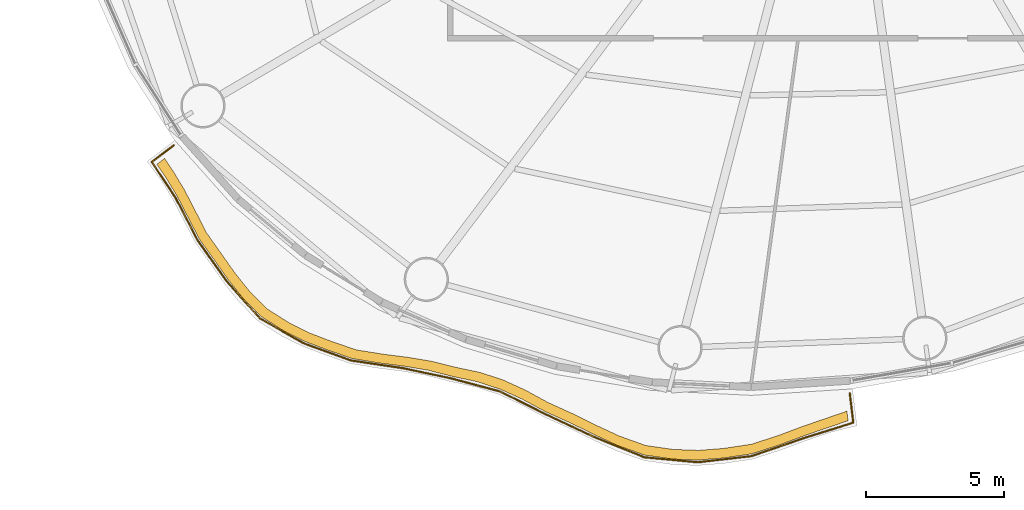
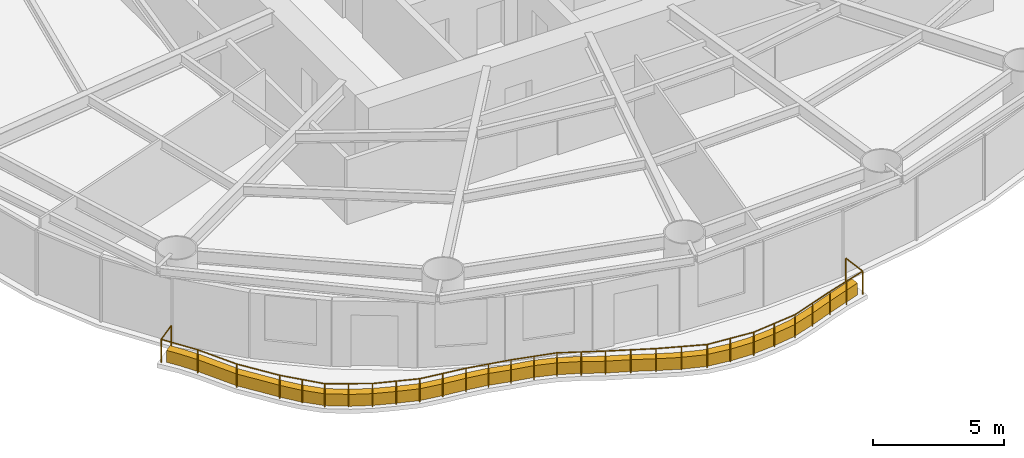
# One storey, part 12 of 16: 1 covering, 1 railing.
"""IFC4 building model written with IfcOpenShell, lengths in metres."""

import ifcopenshell
import ifcopenshell.guid

model = None  # the IFC model being written
_history = None  # IfcOwnerHistory: only IFC2X3 demands one
_inside = {}  # id of a spatial element -> (the spatial element, [elements in it])
_under = {}  # id of a project, library or spatial element -> (it, [spatial elements below it])
_declared = {}  # id of a project -> (the project, [libraries it declares])
_typed = {}  # id of a type object -> (the type object, [elements of that type])
_made_of = {}  # id of a material, layer set ... -> (it, [elements and type objects made of it])


def new_model(schema):
    """Start an empty IFC model of exactly this schema.

    Asked for "IFC4X3", IfcOpenShell would pick the latest addendum, in which some entities
    have other attributes; the version numbers below select the first issue.
    IFC2X3 requires an IfcOwnerHistory on every rooted entity: one is made here for all.
    """
    global model, _history
    if schema == "IFC4X3":
        model = ifcopenshell.file(schema_version=(4, 3, 0, 0))
    else:
        model = ifcopenshell.file(schema=schema)
    _inside.clear()
    _under.clear()
    _declared.clear()
    _typed.clear()
    _made_of.clear()
    _history = None
    if model.schema == "IFC2X3":
        org = make("IfcOrganization", Name="unknown")
        user = make(
            "IfcPersonAndOrganization",
            ThePerson=make("IfcPerson", FamilyName="unknown"),
            TheOrganization=org,
        )
        app = make(
            "IfcApplication",
            ApplicationDeveloper=org,
            Version="unknown",
            ApplicationFullName="unknown",
            ApplicationIdentifier="unknown",
        )
        _history = make(
            "IfcOwnerHistory",
            OwningUser=user,
            OwningApplication=app,
            ChangeAction="ADDED",
            CreationDate=0,
        )
    return model


def make(cls, **values):
    """One entity of the class cls with the attributes given. An attribute that is None is left unset."""
    return model.create_entity(
        cls, **{name: value for name, value in values.items() if value is not None}
    )


def rooted(cls, **values):
    """An entity with a GlobalId (a new one), such as an element, a storey or a relation."""
    return make(cls, GlobalId=ifcopenshell.guid.new(), OwnerHistory=_history, **values)


def si_unit(unit_type, name, prefix=None):
    """IfcSIUnit, for example si_unit("LENGTHUNIT", "METRE", prefix="MILLI")."""
    return make("IfcSIUnit", UnitType=unit_type, Prefix=prefix, Name=name)


def assignment(units):
    """IfcUnitAssignment: the units of a project."""
    return None if units is None else make("IfcUnitAssignment", Units=units)


def point(xyz):
    """IfcCartesianPoint."""
    return None if xyz is None else make("IfcCartesianPoint", Coordinates=xyz)


def direction(xyz):
    """IfcDirection."""
    return None if xyz is None else make("IfcDirection", DirectionRatios=xyz)


def frame(location, z_axis=None, x_axis=None):
    """IfcAxis2Placement3D, a coordinate frame: its origin and axes. An axis left out is left unset."""
    return make(
        "IfcAxis2Placement3D",
        Location=point(location),
        Axis=direction(z_axis),
        RefDirection=direction(x_axis),
    )


def frame_2d(location, x_axis=None):
    """IfcAxis2Placement2D, a coordinate frame in the plane: its origin and x axis."""
    return make(
        "IfcAxis2Placement2D", Location=point(location), RefDirection=direction(x_axis)
    )


def origin():
    """The frame at (0, 0, 0) with its axes left unset."""
    return frame((0.0, 0.0, 0.0))


def origin_2d():
    """The frame at (0, 0) in the plane with its x axis left unset."""
    return frame_2d((0.0, 0.0))


def place(relative_to, where):
    """IfcLocalPlacement: puts the frame where relative to a parent placement (None: the world)."""
    return make(
        "IfcLocalPlacement", PlacementRelTo=relative_to, RelativePlacement=where
    )


def context(
    kind, dimensions, precision=None, world=None, true_north=None, identifier=None
):
    """IfcGeometricRepresentationContext, for example the 3D "Model" context."""
    return make(
        "IfcGeometricRepresentationContext",
        ContextIdentifier=identifier,
        ContextType=kind,
        CoordinateSpaceDimension=dimensions,
        Precision=precision,
        WorldCoordinateSystem=world,
        TrueNorth=true_north,
    )


def subcontext(parent, identifier, kind, view, scale=None):
    """IfcGeometricRepresentationSubContext, for example "Body" below "Model"."""
    return make(
        "IfcGeometricRepresentationSubContext",
        ContextIdentifier=identifier,
        ContextType=kind,
        ParentContext=parent,
        TargetScale=scale,
        TargetView=view,
    )


def project(units=None, contexts=None):
    """IfcProject with its units and contexts."""
    return rooted(
        "IfcProject",
        Name="project",
        RepresentationContexts=contexts,
        UnitsInContext=assignment(units),
    )


def spatial(cls, under=None, at=None, **own):
    """A site, building, storey or space (cls), placed at a placement, below another one or the project."""
    s = rooted(cls, ObjectPlacement=at, **own)
    if under is not None:
        _under.setdefault(under.id(), (under, []))[1].append(s)
    return s


def polyline(points):
    """IfcPolyline through the points."""
    return make("IfcPolyline", Points=[point(p) for p in points])


def profile(cls, at=None, kind="AREA", **sizes):
    """A parametric profile (cls). Its sizes go by their IFC names, for example OverallWidth=200.0."""
    return make(cls, ProfileType=kind, Position=at, **sizes)


def circle(**sizes):
    """IfcCircleProfileDef."""
    return profile("IfcCircleProfileDef", **sizes)


def outline(outer, holes=None, kind="AREA"):
    """IfcArbitraryClosedProfileDef: a profile drawn as a closed curve; with holes, ...WithVoids."""
    if holes is None:
        return make("IfcArbitraryClosedProfileDef", ProfileType=kind, OuterCurve=outer)
    return make(
        "IfcArbitraryProfileDefWithVoids",
        ProfileType=kind,
        OuterCurve=outer,
        InnerCurves=holes,
    )


def extrude(swept, where, along, depth):
    """IfcExtrudedAreaSolid: the profile swept, set in the frame where, extruded along a direction by depth."""
    return make(
        "IfcExtrudedAreaSolid",
        SweptArea=swept,
        Position=where,
        ExtrudedDirection=direction(along),
        Depth=depth,
    )


def shape(context_of_items, identifier, shape_type, items):
    """IfcShapeRepresentation: the items that make up one representation, for example the "Body"."""
    return make(
        "IfcShapeRepresentation",
        ContextOfItems=context_of_items,
        RepresentationIdentifier=identifier,
        RepresentationType=shape_type,
        Items=items,
    )


def material(Name=None, Category=None):
    """IfcMaterial."""
    return make("IfcMaterial", Name=Name, Category=Category)


def made_of(thing, what):
    """Note that an element or type object is made of a material, layer set ...; save() writes the relation."""
    if what is not None:
        _made_of.setdefault(what.id(), (what, []))[1].append(thing)
    return thing


def type_object(cls, material=None, **own):
    """A type object (cls), such as IfcWallType, which elements share."""
    return made_of(rooted(cls, **own), material)


def element(
    cls,
    number,
    at=None,
    inside=None,
    cuts=None,
    type_object=None,
    material=None,
    context=None,
    identifier="Body",
    shape_type=None,
    held_by="IfcProductDefinitionShape",
    body=None,
    shapes=None,
    **own,
):
    """One element of the class cls, such as IfcWall. Its Tag is "e" and its number.

    at: its placement. inside: the storey or other place that contains it. cuts: it is an
    opening in that element (IfcRelVoidsElement). A single representation is given by context,
    identifier, shape_type and body (its items); several are given by shapes. held_by: the class
    of the entity that holds the representations. save() writes the other relations.
    """
    e = rooted(cls, Tag="e%d" % number, ObjectPlacement=at, **own)
    if body is not None:
        shapes = [shape(context, identifier, shape_type, body)]
    if shapes is not None:
        e.Representation = make(held_by, Representations=shapes)
    if inside is not None:
        _inside.setdefault(inside.id(), (inside, []))[1].append(e)
    if cuts is not None:
        rooted(
            "IfcRelVoidsElement", RelatingBuildingElement=cuts, RelatedOpeningElement=e
        )
    if type_object is not None:
        _typed.setdefault(type_object.id(), (type_object, []))[1].append(e)
    return made_of(e, material)


def aggregate(whole, parts):
    """IfcRelAggregates: a whole, such as a stair, and the parts it consists of."""
    return rooted("IfcRelAggregates", RelatingObject=whole, RelatedObjects=parts)


def save(model, path):
    """Write the relations noted so far, then the file.

    IfcRelAggregates (storeys below a building ...), IfcRelContainedInSpatialStructure (elements
    in a storey), IfcRelDefinesByType, IfcRelAssociatesMaterial and IfcRelDeclares: one each for
    every whole, place, type object, material and project.
    """
    for whole, parts in _under.values():
        aggregate(whole, parts)
    for where, things in _inside.values():
        rooted(
            "IfcRelContainedInSpatialStructure",
            RelatedElements=things,
            RelatingStructure=where,
        )
    for kind, things in _typed.values():
        rooted("IfcRelDefinesByType", RelatedObjects=things, RelatingType=kind)
    for what, things in _made_of.values():
        rooted("IfcRelAssociatesMaterial", RelatedObjects=things, RelatingMaterial=what)
    for by, libraries in _declared.values():
        rooted("IfcRelDeclares", RelatingContext=by, RelatedDefinitions=libraries)
    model.write(path)


model = new_model("IFC4")

# Units and contexts
model_context = context("Model", 3, precision=1e-05, world=origin(), true_north=direction((0.0, 1.0)))
body_context = subcontext(model_context, "Body", "Model", "MODEL_VIEW")
ifc_project = project(units=[si_unit("LENGTHUNIT", "METRE"), si_unit("AREAUNIT", "SQUARE_METRE"), si_unit("VOLUMEUNIT", "CUBIC_METRE"), si_unit("PLANEANGLEUNIT", "RADIAN"), si_unit("MASSUNIT", "GRAM", prefix="KILO")], contexts=[model_context])

# Site, building, storey
site_placement = place(None, origin())
site = spatial("IfcSite", under=ifc_project, at=site_placement, CompositionType="ELEMENT")
building_placement = place(site_placement, origin())
building = spatial("IfcBuilding", under=site, at=building_placement, Name="Vermilion Reach Broadcast Tower", CompositionType="ELEMENT")
storey_placement = place(building_placement, frame((0.0, 0.0, 110.199951171875)))
storey = spatial("IfcBuildingStorey", under=building, at=storey_placement, Name="L25", CompositionType="ELEMENT", Elevation=110.199951171875)

# Covering
ifc_material_1 = material(Name="Planting soil and greenery")
covering_type = type_object("IfcCoveringType", Name="Balcony PLANTER", PredefinedType="USERDEFINED", material=ifc_material_1)
covering_placement = place(storey_placement, origin())
element("IfcCovering", 1, at=covering_placement, inside=storey, type_object=covering_type, Name="PLANTER L25 group 3", ObjectType="PLANTER", PredefinedType="USERDEFINED", context=body_context, shape_type="SweptSolid", body=[
    extrude(outline(polyline([(-30.708740234375, -15.661376953125), (-30.386962890625, -16.133544921875), (-29.973876953125, -16.81640625), (-29.60205078125, -17.53564453125), (-29.1689453125, -18.371826171875), (-28.609130859375, -19.1513671875), (-28.132080078125, -19.830810546875), (-27.62255859375, -20.47119140625), (-26.934814453125, -21.16845703125), (-26.093994140625, -21.69970703125), (-25.354736328125, -22.0654296875), (-24.574462890625, -22.3642578125), (-23.648193359375, -22.684326171875), (-22.6513671875, -22.849365234375), (-21.778564453125, -22.960205078125), (-20.919677734375, -23.10205078125), (-20.020263671875, -23.330810546875), (-19.10107421875, -23.52783203125), (-18.279541015625, -23.798828125), (-17.484619140625, -24.16015625), (-16.629638671875, -24.62060546875), (-15.7138671875, -25.031005859375), (-14.885009765625, -25.44189453125), (-14.0517578125, -25.827880859375), (-13.0732421875, -26.177001953125), (-12.0380859375, -26.32275390625), (-11.13525390625, -26.356201171875), (-10.22705078125, -26.285400390625), (-9.195556640625, -26.134033203125), (-8.177001953125, -25.80615234375), (-7.278564453125, -25.469970703125), (-6.378173828125, -25.161865234375), (-5.71044921875, -24.9365234375), (-5.751953125, -24.589111328125), (-6.400634765625, -24.8125), (-7.30078125, -25.120849609375), (-8.19921875, -25.456787109375), (-9.1982421875, -25.7841796875), (-10.2099609375, -25.935791015625), (-11.117919921875, -26.006591796875), (-12.02099609375, -25.97314453125), (-13.03564453125, -25.828857421875), (-13.993896484375, -25.482666015625), (-14.8271484375, -25.0966796875), (-15.65625, -24.685791015625), (-16.551025390625, -24.279541015625), (-17.385009765625, -23.82470703125), (-18.179931640625, -23.463134765625), (-19.001708984375, -23.1923828125), (-19.8994140625, -23.00244140625), (-20.778076171875, -22.78173828125), (-21.636962890625, -22.64013671875), (-22.509765625, -22.529296875), (-23.4853515625, -22.37451171875), (-24.39111328125, -22.066162109375), (-25.17138671875, -21.767333984375), (-25.91064453125, -21.401611328125), (-26.730712890625, -20.884033203125), (-27.398681640625, -20.2021484375), (-27.908203125, -19.561767578125), (-28.38525390625, -18.88232421875), (-28.92578125, -18.1201171875), (-29.340576171875, -17.302734375), (-29.712646484375, -16.58349609375), (-30.12548828125, -15.900634765625), (-30.43017578125, -15.449462890625), (-30.708740234375, -15.661376953125)])), origin(), (0.0, 0.0, 1.0), 0.550048828125),
])

# Railing
ifc_material_2 = material(Name="Stainless steel 316 balustrade", Category="steel")
railing_type = type_object("IfcRailingType", Name="Balcony guard 1100", PredefinedType="BALUSTRADE", material=ifc_material_2)
railing_placement = place(storey_placement, frame((-30.103271484375, -14.975341796875, 0.0)))
element("IfcRailing", 2, at=railing_placement, inside=storey, type_object=railing_type, Name="Balcony guard L25 group 3", PredefinedType="BALUSTRADE", context=body_context, shape_type="SweptSolid", body=[
    extrude(circle(Radius=0.02490234375, at=origin_2d()), frame((0.0, 0.0, 1.0751953125), z_axis=(-0.795872559954, -0.605464175911, 0.0), x_axis=(0.605464175911, -0.795872559954, 0.0)), (0.0, 0.0, 1.0), 0.9912109375),
    extrude(circle(Radius=0.02490234375, at=origin_2d()), frame((-0.788818359375, -0.60009765625, 1.0751953125), z_axis=(0.55273961833, -0.833354015007, 0.0), x_axis=(0.833354015007, 0.55273961833, 0.0)), (0.0, 0.0, 1.0), 1.552978515625),
    extrude(circle(Radius=0.02490234375, at=origin_2d()), frame((0.069580078125, -1.894287109375, 1.0751953125), z_axis=(0.460503732323, -0.887657767677, 0.0), x_axis=(0.887657767677, 0.460503732323, 0.0)), (0.0, 0.0, 1.0), 1.7568359375),
    extrude(circle(Radius=0.02490234375, at=origin_2d()), frame((0.878662109375, -3.453857421875, 1.0751953125), z_axis=(0.579822710435, -0.814742673771, 0.0), x_axis=(0.814742673771, 0.579822710435, 0.0)), (0.0, 0.0, 1.0), 1.7958984375),
    extrude(circle(Radius=0.02490234375, at=origin_2d()), frame((1.919921875, -4.9169921875, 1.0751953125), z_axis=(0.667412830846, -0.744687930091, 0.0), x_axis=(0.744687930091, 0.667412830846, 0.0)), (0.0, 0.0, 1.0), 1.80078125),
    extrude(circle(Radius=0.02490234375, at=origin_2d()), frame((3.121826171875, -6.258056640625, 1.0751953125), z_axis=(0.869518011047, -0.493901233513, 0.0), x_axis=(0.493901233513, 0.869518011047, 0.0)), (0.0, 0.0, 1.0), 1.822509765625),
    extrude(circle(Radius=0.02490234375, at=origin_2d()), frame((4.70654296875, -7.158203125, 1.0751953125), z_axis=(0.939926457152, -0.34137699856, 0.0), x_axis=(0.34137699856, 0.939926457152, 0.0)), (0.0, 0.0, 1.0), 1.82080078125),
    extrude(circle(Radius=0.02490234375, at=origin_2d()), frame((6.41796875, -7.77978515625, 1.0751953125), z_axis=(0.989153596151, -0.146884863829, 0.0), x_axis=(0.146884863829, 0.989153596151, 0.0)), (0.0, 0.0, 1.0), 1.894775390625),
    extrude(circle(Radius=0.02490234375, at=origin_2d()), frame((8.292236328125, -8.05810546875, 1.0751953125), z_axis=(0.978397153411, -0.206734153435, 0.0), x_axis=(0.206734153435, 0.978397153411, 0.0)), (0.0, 0.0, 1.0), 1.802001953125),
    extrude(circle(Radius=0.02490234375, at=origin_2d()), frame((10.055419921875, -8.4306640625, 1.0751953125), z_axis=(0.965683535426, -0.259721599808, 0.0), x_axis=(0.259721599808, 0.965683535426, 0.0)), (0.0, 0.0, 1.0), 1.8076171875),
    extrude(circle(Radius=0.02490234375, at=origin_2d()), frame((11.801025390625, -8.900146484375, 1.0751953125), z_axis=(0.895350090497, -0.445363015356, 0.0), x_axis=(0.445363015356, 0.895350090497, 0.0)), (0.0, 0.0, 1.0), 1.847900390625),
    extrude(circle(Radius=0.02490234375, at=origin_2d()), frame((13.45556640625, -9.72314453125, 1.0751953125), z_axis=(0.905024674117, -0.42535907095, 0.0), x_axis=(0.42535907095, 0.905024674117, 0.0)), (0.0, 0.0, 1.0), 1.93310546875),
    extrude(circle(Radius=0.02490234375, at=origin_2d()), frame((15.205078125, -10.54541015625, 1.0751953125), z_axis=(0.926835365126, -0.375467982593, 0.0), x_axis=(0.375467982593, 0.926835365126, 0.0)), (0.0, 0.0, 1.0), 1.959716796875),
    extrude(circle(Radius=0.02490234375, at=origin_2d()), frame((17.021484375, -11.28125, 1.0751953125), z_axis=(0.995749392472, -0.092104003124, 0.0), x_axis=(0.092104003124, 0.995749392472, 0.0)), (0.0, 0.0, 1.0), 1.950927734375),
    extrude(circle(Radius=0.02490234375, at=origin_2d()), frame((18.964111328125, -11.4609375, 1.0751953125), z_axis=(0.993535085066, 0.113525480589, 0.0), x_axis=(-0.113525480589, 0.993535085066, 0.0)), (0.0, 0.0, 1.0), 1.95703125),
    extrude(circle(Radius=0.02490234375, at=origin_2d()), frame((20.908447265625, -11.23876953125, 1.0751953125), z_axis=(0.945105940988, 0.326764074387, 0.0), x_axis=(-0.326764074387, 0.945105940988, 0.0)), (0.0, 0.0, 1.0), 2.032958984375),
    extrude(circle(Radius=0.02490234375, at=origin_2d()), frame((22.829833984375, -10.574462890625, 1.0751953125), z_axis=(0.954850905711, 0.297085421827, 0.0), x_axis=(-0.297085421827, 0.954850905711, 0.0)), (0.0, 0.0, 1.0), 1.8349609375),
    extrude(circle(Radius=0.02490234375, at=origin_2d()), frame((24.58203125, -10.029296875, 1.0751953125), z_axis=(-0.118570858171, 0.992945593471, 0.0), x_axis=(-0.992945593471, -0.118570858171, 0.0)), (0.0, 0.0, 1.0), 1.07275390625),
    extrude(circle(Radius=0.02490234375, at=origin_2d()), origin(), (0.0, 0.0, 1.0), 1.050048828125),
    extrude(circle(Radius=0.02490234375, at=origin_2d()), frame((-0.788818359375, -0.60009765625, 0.0)), (0.0, 0.0, 1.0), 1.050048828125),
    extrude(circle(Radius=0.02490234375, at=origin_2d()), frame((0.069580078125, -1.894287109375, 0.0)), (0.0, 0.0, 1.0), 1.050048828125),
    extrude(circle(Radius=0.02490234375, at=origin_2d()), frame((0.878662109375, -3.453857421875, 0.0)), (0.0, 0.0, 1.0), 1.050048828125),
    extrude(circle(Radius=0.02490234375, at=origin_2d()), frame((1.919921875, -4.9169921875, 0.0)), (0.0, 0.0, 1.0), 1.050048828125),
    extrude(circle(Radius=0.02490234375, at=origin_2d()), frame((2.52099609375, -5.58740234375, 0.0)), (0.0, 0.0, 1.0), 1.050048828125),
    extrude(circle(Radius=0.02490234375, at=origin_2d()), frame((3.121826171875, -6.258056640625, 0.0)), (0.0, 0.0, 1.0), 1.050048828125),
    extrude(circle(Radius=0.02490234375, at=origin_2d()), frame((3.9140625, -6.7080078125, 0.0)), (0.0, 0.0, 1.0), 1.050048828125),
    extrude(circle(Radius=0.02490234375, at=origin_2d()), frame((4.70654296875, -7.158203125, 0.0)), (0.0, 0.0, 1.0), 1.050048828125),
    extrude(circle(Radius=0.02490234375, at=origin_2d()), frame((5.562255859375, -7.468994140625, 0.0)), (0.0, 0.0, 1.0), 1.050048828125),
    extrude(circle(Radius=0.02490234375, at=origin_2d()), frame((6.41796875, -7.77978515625, 0.0)), (0.0, 0.0, 1.0), 1.050048828125),
    extrude(circle(Radius=0.02490234375, at=origin_2d()), frame((7.35498046875, -7.9189453125, 0.0)), (0.0, 0.0, 1.0), 1.050048828125),
    extrude(circle(Radius=0.02490234375, at=origin_2d()), frame((8.292236328125, -8.05810546875, 0.0)), (0.0, 0.0, 1.0), 1.050048828125),
    extrude(circle(Radius=0.02490234375, at=origin_2d()), frame((9.173828125, -8.244384765625, 0.0)), (0.0, 0.0, 1.0), 1.050048828125),
    extrude(circle(Radius=0.02490234375, at=origin_2d()), frame((10.055419921875, -8.4306640625, 0.0)), (0.0, 0.0, 1.0), 1.050048828125),
    extrude(circle(Radius=0.02490234375, at=origin_2d()), frame((10.92822265625, -8.66552734375, 0.0)), (0.0, 0.0, 1.0), 1.050048828125),
    extrude(circle(Radius=0.02490234375, at=origin_2d()), frame((11.801025390625, -8.900146484375, 0.0)), (0.0, 0.0, 1.0), 1.050048828125),
    extrude(circle(Radius=0.02490234375, at=origin_2d()), frame((12.62841796875, -9.3115234375, 0.0)), (0.0, 0.0, 1.0), 1.050048828125),
    extrude(circle(Radius=0.02490234375, at=origin_2d()), frame((13.45556640625, -9.72314453125, 0.0)), (0.0, 0.0, 1.0), 1.050048828125),
    extrude(circle(Radius=0.02490234375, at=origin_2d()), frame((14.330322265625, -10.13427734375, 0.0)), (0.0, 0.0, 1.0), 1.050048828125),
    extrude(circle(Radius=0.02490234375, at=origin_2d()), frame((15.205078125, -10.54541015625, 0.0)), (0.0, 0.0, 1.0), 1.050048828125),
    extrude(circle(Radius=0.02490234375, at=origin_2d()), frame((16.11328125, -10.913330078125, 0.0)), (0.0, 0.0, 1.0), 1.050048828125),
    extrude(circle(Radius=0.02490234375, at=origin_2d()), frame((17.021484375, -11.28125, 0.0)), (0.0, 0.0, 1.0), 1.050048828125),
    extrude(circle(Radius=0.02490234375, at=origin_2d()), frame((17.99267578125, -11.37109375, 0.0)), (0.0, 0.0, 1.0), 1.050048828125),
    extrude(circle(Radius=0.02490234375, at=origin_2d()), frame((18.964111328125, -11.4609375, 0.0)), (0.0, 0.0, 1.0), 1.050048828125),
    extrude(circle(Radius=0.02490234375, at=origin_2d()), frame((19.936279296875, -11.349853515625, 0.0)), (0.0, 0.0, 1.0), 1.050048828125),
    extrude(circle(Radius=0.02490234375, at=origin_2d()), frame((20.908447265625, -11.23876953125, 0.0)), (0.0, 0.0, 1.0), 1.050048828125),
    extrude(circle(Radius=0.02490234375, at=origin_2d()), frame((21.869140625, -10.90673828125, 0.0)), (0.0, 0.0, 1.0), 1.050048828125),
    extrude(circle(Radius=0.02490234375, at=origin_2d()), frame((22.829833984375, -10.574462890625, 0.0)), (0.0, 0.0, 1.0), 1.050048828125),
    extrude(circle(Radius=0.02490234375, at=origin_2d()), frame((23.7060546875, -10.3017578125, 0.0)), (0.0, 0.0, 1.0), 1.050048828125),
    extrude(circle(Radius=0.02490234375, at=origin_2d()), frame((24.58203125, -10.029296875, 0.0)), (0.0, 0.0, 1.0), 1.050048828125),
    extrude(circle(Radius=0.02490234375, at=origin_2d()), frame((24.454833984375, -8.964111328125, 0.0)), (0.0, 0.0, 1.0), 1.050048828125),
])

save(model, "model.ifc")
